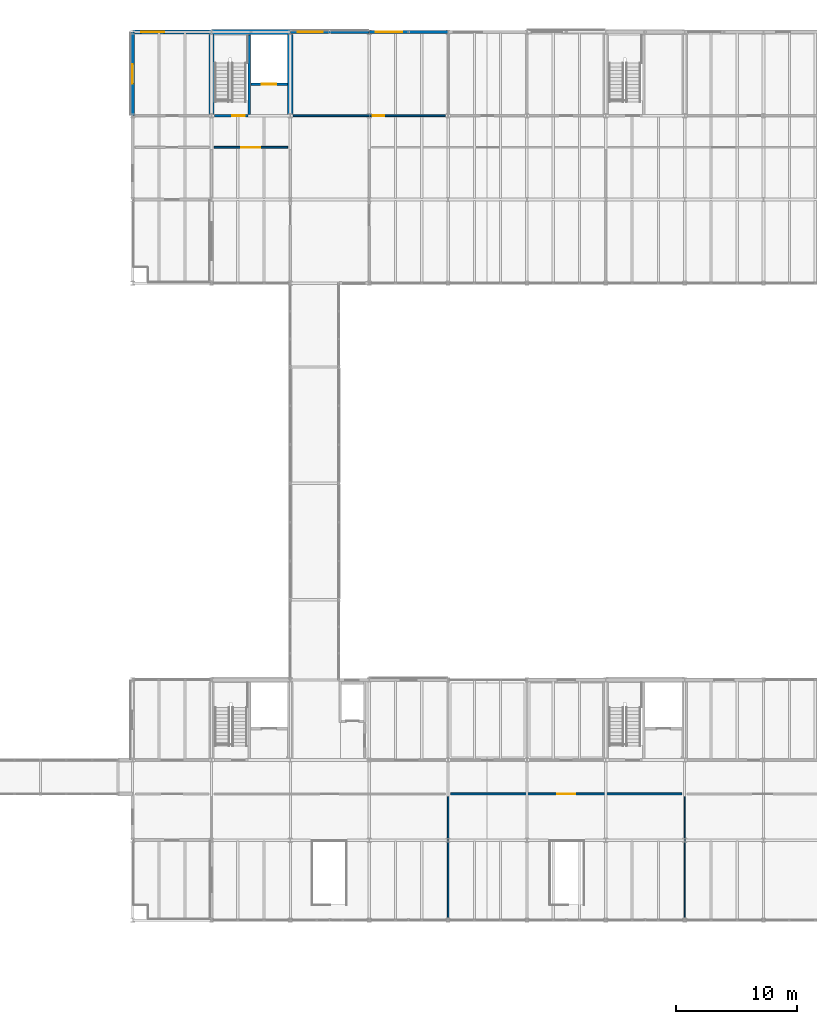
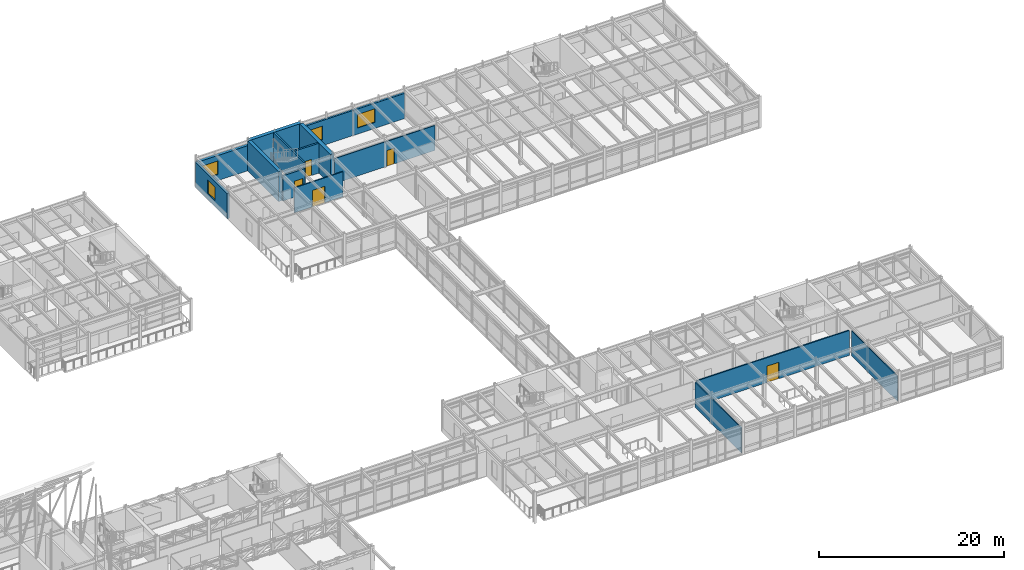
# One storey, part 135 of 144: 15 walls, 5 doors, 4 windows, 9 openings.
"""IFC4 building model written with IfcOpenShell, lengths in metres."""

from ifc_helpers import new_model, si_unit, direction, frame, frame_2d, origin, place, context, subcontext, project, spatial, rectangle, extrude, material, layer, layer_set, type_object, element, fill, save


model = new_model("IFC4")

# Units and contexts
model_context = context("Model", 3, precision=1e-05, world=origin(), true_north=direction((0.0, 1.0)))
body_context = subcontext(model_context, "Body", "Model", "MODEL_VIEW")
ifc_project = project(units=[si_unit("LENGTHUNIT", "METRE"), si_unit("AREAUNIT", "SQUARE_METRE"), si_unit("VOLUMEUNIT", "CUBIC_METRE"), si_unit("PLANEANGLEUNIT", "RADIAN"), si_unit("MASSUNIT", "GRAM", prefix="KILO")], contexts=[model_context])

# Site, building, storey
site_placement = place(None, origin())
site = spatial("IfcSite", under=ifc_project, at=site_placement, CompositionType="ELEMENT")
building_placement = place(site_placement, origin())
building = spatial("IfcBuilding", under=site, at=building_placement, Name="Trelmorton Wharf Fire Station", CompositionType="ELEMENT")
storey_placement = place(building_placement, frame((0.0, 0.0, 5.39990234375)))
storey = spatial("IfcBuildingStorey", under=building, at=storey_placement, Name="L01", CompositionType="ELEMENT", Elevation=5.39990234375)

# Wall, opening, window
ifc_material_1 = material(Name="Precast concrete 45 MPa", Category="concrete")
ifc_layer_1 = layer(ifc_material_1, 0.22998046875)
ifc_layer_set_1 = layer_set([ifc_layer_1], Name="Precast concrete 45 MPa")
wall_type_1 = type_object("IfcWallType", Name="EW_PREC_230", PredefinedType="SOLIDWALL", material=ifc_layer_set_1)
wall_1_placement = place(storey_placement, frame((117.0048828125, 81.0, 0.0), z_axis=(0.0, 0.0, 1.0), x_axis=(1.0, 0.0, 0.0)))
wall_1 = element("IfcWall", 1, at=wall_1_placement, inside=storey, type_object=wall_type_1, Name="EW-V4-L01-0216", PredefinedType="SOLIDWALL", context=body_context, shape_type="SweptSolid", body=[
    extrude(rectangle(XDim=6.490234375, YDim=0.22998046875, at=frame_2d((3.2451171875, 0.0))), origin(), (0.0, 0.0, 1.0), 3.320068359375),
])
opening_1_placement = place(wall_1_placement, frame((0.612548828125, 0.0, 0.800048828125)))
opening_1 = element("IfcOpeningElement", 2, at=opening_1_placement, cuts=wall_1, Name="Opening W11", PredefinedType="OPENING", context=body_context, shape_type="SweptSolid", body=[
    extrude(rectangle(XDim=2.050048828125, YDim=1.800048828125, at=frame_2d((1.02490234375, 0.89990234375))), frame((0.0, 0.125, 0.0), z_axis=(0.0, -1.0, 0.0), x_axis=(1.0, 0.0, 0.0)), (0.0, 0.0, 1.0), 0.25),
])
ifc_material_2 = material(Name="Tempered low-E double glazing", Category="glass")
window_type_1 = type_object("IfcWindowType", Name="WIN_W11", PartitioningType="DOUBLE_PANEL_VERTICAL", PredefinedType="WINDOW", material=ifc_material_2)
window_1_placement = place(opening_1_placement, origin())
window_1 = element("IfcWindow", 3, at=window_1_placement, inside=storey, type_object=window_type_1, Name="WN-V4-L01-0119", OverallHeight=1.800048828125, OverallWidth=2.050048828125, PartitioningType="DOUBLE_PANEL_VERTICAL", PredefinedType="WINDOW", context=body_context, shape_type="SweptSolid", body=[
    extrude(rectangle(XDim=2.050048828125, YDim=1.800048828125, at=frame_2d((1.02490234375, 0.89990234375))), frame((0.0, 0.030029296875, 0.0), z_axis=(0.0, -1.0, 0.0), x_axis=(1.0, 0.0, 0.0)), (0.0, 0.0, 1.0), 0.06005859375),
])
fill(opening_1, window_1)

ifc_layer_2 = layer(ifc_material_1, 0.25)
ifc_layer_set_2 = layer_set([ifc_layer_2], Name="Precast concrete 45 MPa")
wall_type_2 = type_object("IfcWallType", Name="EW_PREC_250", PredefinedType="SOLIDWALL", material=ifc_layer_set_2)
wall_2_placement = place(storey_placement, frame((123.5048828125, 81.0, 0.0), z_axis=(0.0, 0.0, 1.0), x_axis=(1.0, 0.0, 0.0)))
wall_2 = element("IfcWall", 4, at=wall_2_placement, inside=storey, type_object=wall_type_2, Name="EW-V4-L01-0217", PredefinedType="SOLIDWALL", context=body_context, shape_type="SweptSolid", body=[
    extrude(rectangle(XDim=6.490234375, YDim=0.25, at=frame_2d((3.2451171875, 0.0))), origin(), (0.0, 0.0, 1.0), 3.320068359375),
])
opening_2_placement = place(wall_2_placement, frame((0.53759765625, 0.0, 0.800048828125)))
opening_2 = element("IfcOpeningElement", 5, at=opening_2_placement, cuts=wall_2, Name="Opening W12", PredefinedType="OPENING", context=body_context, shape_type="SweptSolid", body=[
    extrude(rectangle(XDim=2.199951171875, YDim=1.800048828125, at=frame_2d((1.10009765625, 0.89990234375))), frame((0.0, 0.135009765625, 0.0), z_axis=(0.0, -1.0, 0.0), x_axis=(1.0, 0.0, 0.0)), (0.0, 0.0, 1.0), 0.27001953125),
])
window_type_2 = type_object("IfcWindowType", Name="WIN_W12", PartitioningType="DOUBLE_PANEL_VERTICAL", PredefinedType="WINDOW", material=ifc_material_2)
window_2_placement = place(opening_2_placement, origin())
window_2 = element("IfcWindow", 6, at=window_2_placement, inside=storey, type_object=window_type_2, Name="WN-V4-L01-0120", OverallHeight=1.800048828125, OverallWidth=2.199951171875, PartitioningType="DOUBLE_PANEL_VERTICAL", PredefinedType="WINDOW", context=body_context, shape_type="SweptSolid", body=[
    extrude(rectangle(XDim=2.199951171875, YDim=1.800048828125, at=frame_2d((1.10009765625, 0.89990234375))), frame((0.0, 0.030029296875, 0.0), z_axis=(0.0, -1.0, 0.0), x_axis=(1.0, 0.0, 0.0)), (0.0, 0.0, 1.0), 0.06005859375),
])
fill(opening_2, window_2)

ifc_layer_3 = layer(ifc_material_1, 0.2900390625)
ifc_layer_set_3 = layer_set([ifc_layer_3], Name="Precast concrete 45 MPa")
wall_type_3 = type_object("IfcWallType", Name="EW_TERR_290", PredefinedType="SOLIDWALL", material=ifc_layer_set_3)
wall_3_placement = place(storey_placement, frame((104.0, 74.10498046875, 0.0), z_axis=(0.0, 0.0, 1.0), x_axis=(0.0, 1.0, 0.0)))
wall_3 = element("IfcWall", 7, at=wall_3_placement, inside=storey, type_object=wall_type_3, Name="EW-V4-L01-0225", PredefinedType="SOLIDWALL", context=body_context, shape_type="SweptSolid", body=[
    extrude(rectangle(XDim=6.89013671875, YDim=0.2900390625, at=frame_2d((3.445068359375, 0.0))), origin(), (0.0, 0.0, 1.0), 3.320068359375),
])
opening_3_placement = place(wall_3_placement, frame((2.64501953125, 0.0, 0.800048828125)))
opening_3 = element("IfcOpeningElement", 8, at=opening_3_placement, cuts=wall_3, Name="Opening W20", PredefinedType="OPENING", context=body_context, shape_type="SweptSolid", body=[
    extrude(rectangle(XDim=1.60009765625, YDim=1.800048828125, at=frame_2d((0.800048828125, 0.89990234375))), frame((0.0, 0.155029296875, 0.0), z_axis=(0.0, -1.0, 0.0), x_axis=(1.0, 0.0, 0.0)), (0.0, 0.0, 1.0), 0.31005859375),
])
window_type_3 = type_object("IfcWindowType", Name="WIN_W20", PartitioningType="DOUBLE_PANEL_VERTICAL", PredefinedType="WINDOW", material=ifc_material_2)
window_3_placement = place(opening_3_placement, origin())
window_3 = element("IfcWindow", 9, at=window_3_placement, inside=storey, type_object=window_type_3, Name="WN-V4-L01-0127", OverallHeight=1.800048828125, OverallWidth=1.60009765625, PartitioningType="DOUBLE_PANEL_VERTICAL", PredefinedType="WINDOW", context=body_context, shape_type="SweptSolid", body=[
    extrude(rectangle(XDim=1.60009765625, YDim=1.800048828125, at=frame_2d((0.800048828125, 0.89990234375))), frame((0.0, 0.030029296875, 0.0), z_axis=(0.0, -1.0, 0.0), x_axis=(1.0, 0.0, 0.0)), (0.0, 0.0, 1.0), 0.06005859375),
])
fill(opening_3, window_3)

ifc_layer_4 = layer(ifc_material_1, 0.330078125)
ifc_layer_set_4 = layer_set([ifc_layer_4], Name="Precast concrete 45 MPa")
wall_type_4 = type_object("IfcWallType", Name="EW_TERR_330", PredefinedType="SOLIDWALL", material=ifc_layer_set_4)
wall_4_placement = place(storey_placement, frame((104.0048828125, 81.0, 0.0), z_axis=(0.0, 0.0, 1.0), x_axis=(1.0, 0.0, 0.0)))
wall_4 = element("IfcWall", 10, at=wall_4_placement, inside=storey, type_object=wall_type_4, Name="EW-V4-L01-0215", PredefinedType="SOLIDWALL", context=body_context, shape_type="SweptSolid", body=[
    extrude(rectangle(XDim=6.490234375, YDim=0.330078125, at=frame_2d((3.2451171875, 0.0))), origin(), (0.0, 0.0, 1.0), 3.320068359375),
])
opening_4_placement = place(wall_4_placement, frame((0.6875, 0.0, 0.800048828125)))
opening_4 = element("IfcOpeningElement", 11, at=opening_4_placement, cuts=wall_4, Name="Opening W10", PredefinedType="OPENING", context=body_context, shape_type="SweptSolid", body=[
    extrude(rectangle(XDim=1.89990234375, YDim=1.800048828125, at=frame_2d((0.949951171875, 0.89990234375))), frame((0.0, 0.175048828125, 0.0), z_axis=(0.0, -1.0, 0.0), x_axis=(1.0, 0.0, 0.0)), (0.0, 0.0, 1.0), 0.35009765625),
])
window_type_4 = type_object("IfcWindowType", Name="WIN_W10", PartitioningType="DOUBLE_PANEL_VERTICAL", PredefinedType="WINDOW", material=ifc_material_2)
window_4_placement = place(opening_4_placement, origin())
window_4 = element("IfcWindow", 12, at=window_4_placement, inside=storey, type_object=window_type_4, Name="WN-V4-L01-0118", OverallHeight=1.800048828125, OverallWidth=1.89990234375, PartitioningType="DOUBLE_PANEL_VERTICAL", PredefinedType="WINDOW", context=body_context, shape_type="SweptSolid", body=[
    extrude(rectangle(XDim=1.89990234375, YDim=1.800048828125, at=frame_2d((0.949951171875, 0.89990234375))), frame((0.0, 0.030029296875, 0.0), z_axis=(0.0, -1.0, 0.0), x_axis=(1.0, 0.0, 0.0)), (0.0, 0.0, 1.0), 0.06005859375),
])
fill(opening_4, window_4)

# Wall, opening, door
ifc_material_3 = material(Name="Gypsum plasterboard partition")
ifc_layer_5 = layer(ifc_material_3, 0.159912109375)
ifc_layer_set_5 = layer_set([ifc_layer_5], Name="Gypsum plasterboard partition")
wall_type_5 = type_object("IfcWallType", Name="IW_ACOU_160", PredefinedType="PARTITIONING", material=ifc_layer_set_5)
wall_5_placement = place(storey_placement, frame((130.219970703125, 18.199951171875, 0.0), z_axis=(0.0, 0.0, 1.0), x_axis=(1.0, 0.0, 0.0)))
wall_5 = element("IfcWall", 13, at=wall_5_placement, inside=storey, type_object=wall_type_5, Name="IW-L01-0085", PredefinedType="PARTITIONING", context=body_context, shape_type="SweptSolid", body=[
    extrude(rectangle(XDim=19.06005859375, YDim=0.159912109375, at=frame_2d((9.530029296875, 0.0))), origin(), (0.0, 0.0, 1.0), 3.300048828125),
])
opening_5_placement = place(wall_5_placement, frame((8.7900390625, 0.0, 0.0)))
opening_5 = element("IfcOpeningElement", 14, at=opening_5_placement, cuts=wall_5, Name="Opening D-056", PredefinedType="OPENING", context=body_context, shape_type="SweptSolid", body=[
    extrude(rectangle(XDim=1.47998046875, YDim=2.179931640625, at=frame_2d((0.739990234375, 1.08984375))), frame((0.0, 0.08984375, 0.0), z_axis=(0.0, -1.0, 0.0), x_axis=(1.0, 0.0, 0.0)), (0.0, 0.0, 1.0), 0.179931640625),
])
ifc_material_4 = material(Name="Acoustic timber panelling", Category="wood")
door_type_1 = type_object("IfcDoorType", Name="DR_INT_148", OperationType="DOUBLE_DOOR_SINGLE_SWING", PredefinedType="DOOR", material=ifc_material_4)
door_1_placement = place(opening_5_placement, origin())
door_1 = element("IfcDoor", 15, at=door_1_placement, inside=storey, type_object=door_type_1, Name="Interior Door D-056", OperationType="DOUBLE_DOOR_SINGLE_SWING", OverallHeight=2.179931640625, OverallWidth=1.47998046875, PredefinedType="DOOR", context=body_context, shape_type="SweptSolid", body=[
    extrude(rectangle(XDim=1.47998046875, YDim=2.179931640625, at=frame_2d((0.739990234375, 1.08984375))), frame((0.0, 0.02490234375, 0.0), z_axis=(0.0, -1.0, 0.0), x_axis=(1.0, 0.0, 0.0)), (0.0, 0.0, 1.0), 0.050048828125),
])
fill(opening_5, door_1)

# Wall
ifc_material_5 = material(Name="Concrete 40 MPa", Category="concrete")
ifc_layer_6 = layer(ifc_material_5, 0.219970703125)
ifc_layer_set_6 = layer_set([ifc_layer_6], Name="Concrete 40 MPa")
wall_type_6 = type_object("IfcWallType", Name="IW_CORE_220", PredefinedType="SOLIDWALL", material=ifc_layer_set_6)
wall_6_placement = place(storey_placement, frame((113.6201171875, 74.219970703125, 0.0), z_axis=(0.0, 0.0, 1.0), x_axis=(0.0, 1.0, 0.0)))
element("IfcWall", 16, at=wall_6_placement, inside=storey, type_object=wall_type_6, Name="IW-C7-DIV-L01", PredefinedType="SOLIDWALL", context=body_context, shape_type="SweptSolid", body=[
    extrude(rectangle(XDim=6.554931640625, YDim=0.219970703125, at=frame_2d((3.27734375, 0.0))), origin(), (0.0, 0.0, 1.0), 3.960205078125),
])

# Wall, opening, door
wall_7_placement = place(storey_placement, frame((110.760009765625, 74.10009765625, 0.0), z_axis=(0.0, 0.0, 1.0), x_axis=(1.0, 0.0, 0.0)))
wall_7 = element("IfcWall", 17, at=wall_7_placement, inside=storey, type_object=wall_type_6, Name="IW-C7-SF-L01", PredefinedType="SOLIDWALL", context=body_context, shape_type="SweptSolid", body=[
    extrude(rectangle(XDim=2.739990234375, YDim=0.219970703125, at=frame_2d((1.3701171875, 0.0))), origin(), (0.0, 0.0, 1.0), 3.320068359375),
])
opening_6_placement = place(wall_7_placement, frame((1.43994140625, 0.0, 0.0)))
opening_6 = element("IfcOpeningElement", 18, at=opening_6_placement, cuts=wall_7, Name="Opening FD-043", PredefinedType="OPENING", context=body_context, shape_type="SweptSolid", body=[
    extrude(rectangle(XDim=1.06005859375, YDim=2.10009765625, at=frame_2d((0.530029296875, 1.050048828125))), frame((0.0, 0.1201171875, 0.0), z_axis=(0.0, -1.0, 0.0), x_axis=(1.0, 0.0, 0.0)), (0.0, 0.0, 1.0), 0.239990234375),
])
ifc_material_6 = material(Name="Stainless steel 316 marine grade", Category="steel")
door_type_2 = type_object("IfcDoorType", Name="DR_FIRE_106", OperationType="NOTDEFINED", PredefinedType="DOOR", material=ifc_material_6)
door_2_placement = place(opening_6_placement, origin())
door_2 = element("IfcDoor", 19, at=door_2_placement, inside=storey, type_object=door_type_2, Name="Stair Fire Door FD-043", OperationType="SINGLE_SWING_LEFT", OverallHeight=2.10009765625, OverallWidth=1.06005859375, PredefinedType="DOOR", context=body_context, shape_type="SweptSolid", body=[
    extrude(rectangle(XDim=1.06005859375, YDim=2.10009765625, at=frame_2d((0.530029296875, 1.050048828125))), frame((0.0, 0.02490234375, 0.0), z_axis=(0.0, -1.0, 0.0), x_axis=(1.0, 0.0, 0.0)), (0.0, 0.0, 1.0), 0.050048828125),
])
fill(opening_6, door_2)

wall_8_placement = place(storey_placement, frame((113.739990234375, 76.699951171875, 0.0), z_axis=(0.0, 0.0, 1.0), x_axis=(1.0, 0.0, 0.0)))
wall_8 = element("IfcWall", 20, at=wall_8_placement, inside=storey, type_object=wall_type_6, Name="IW-C7-LSH-L01", PredefinedType="SOLIDWALL", context=body_context, shape_type="SweptSolid", body=[
    extrude(rectangle(XDim=3.034912109375, YDim=0.219970703125, at=frame_2d((1.517578125, 0.0))), origin(), (0.0, 0.0, 1.0), 3.960205078125),
])
opening_7_placement = place(wall_8_placement, frame((0.91748046875, 0.0, 0.0)))
opening_7 = element("IfcOpeningElement", 21, at=opening_7_placement, cuts=wall_8, Name="Opening LD-034", PredefinedType="OPENING", context=body_context, shape_type="SweptSolid", body=[
    extrude(rectangle(XDim=1.199951171875, YDim=2.14990234375, at=frame_2d((0.60009765625, 1.074951171875))), frame((0.0, 0.1201171875, 0.0), z_axis=(0.0, -1.0, 0.0), x_axis=(1.0, 0.0, 0.0)), (0.0, 0.0, 1.0), 0.239990234375),
])
door_type_3 = type_object("IfcDoorType", Name="DR_LIFT_120", OperationType="DOUBLE_DOOR_SLIDING", PredefinedType="DOOR", material=ifc_material_6)
door_3_placement = place(opening_7_placement, origin())
door_3 = element("IfcDoor", 22, at=door_3_placement, inside=storey, type_object=door_type_3, Name="Lift Landing Door LD-034", OperationType="DOUBLE_DOOR_SLIDING", OverallHeight=2.14990234375, OverallWidth=1.199951171875, PredefinedType="DOOR", context=body_context, shape_type="SweptSolid", body=[
    extrude(rectangle(XDim=1.199951171875, YDim=2.14990234375, at=frame_2d((0.60009765625, 1.074951171875))), frame((0.0, 0.02490234375, 0.0), z_axis=(0.0, -1.0, 0.0), x_axis=(1.0, 0.0, 0.0)), (0.0, 0.0, 1.0), 0.050048828125),
])
fill(opening_7, door_3)

# Walls
ifc_layer_7 = layer(ifc_material_3, 0.10009765625)
ifc_layer_set_7 = layer_set([ifc_layer_7], Name="Gypsum plasterboard partition")
wall_type_7 = type_object("IfcWallType", Name="IW_PART_100", PredefinedType="PARTITIONING", material=ifc_layer_set_7)
wall_9_placement = place(storey_placement, frame((149.5, 8.02001953125, 0.0), z_axis=(0.0, 0.0, 1.0), x_axis=(0.0, 1.0, 0.0)))
element("IfcWall", 23, at=wall_9_placement, inside=storey, type_object=wall_type_7, Name="IW-L01-0084", PredefinedType="PARTITIONING", context=body_context, shape_type="SweptSolid", body=[
    extrude(rectangle(XDim=9.9599609375, YDim=0.10009765625, at=frame_2d((4.97998046875, 0.0))), origin(), (0.0, 0.0, 1.0), 3.300048828125),
])
ifc_layer_8 = layer(ifc_material_3, 0.1298828125)
ifc_layer_set_8 = layer_set([ifc_layer_8], Name="Gypsum plasterboard partition")
wall_type_8 = type_object("IfcWallType", Name="IW_PART_130", PredefinedType="PARTITIONING", material=ifc_layer_set_8)
wall_10_placement = place(storey_placement, frame((130.0, 8.02001953125, 0.0), z_axis=(0.0, 0.0, 1.0), x_axis=(0.0, 1.0, 0.0)))
element("IfcWall", 24, at=wall_10_placement, inside=storey, type_object=wall_type_8, Name="IW-L01-0081", PredefinedType="PARTITIONING", context=body_context, shape_type="SweptSolid", body=[
    extrude(rectangle(XDim=9.9599609375, YDim=0.1298828125, at=frame_2d((4.97998046875, 0.0))), origin(), (0.0, 0.0, 1.0), 3.300048828125),
])

# Wall, opening, door
ifc_layer_9 = layer(ifc_material_3, 0.139892578125)
ifc_layer_set_9 = layer_set([ifc_layer_9], Name="Gypsum plasterboard partition")
wall_type_9 = type_object("IfcWallType", Name="IW_PART_140", PredefinedType="PARTITIONING", material=ifc_layer_set_9)
wall_11_placement = place(storey_placement, frame((110.719970703125, 71.5, 0.0), z_axis=(0.0, 0.0, 1.0), x_axis=(1.0, 0.0, 0.0)))
wall_11 = element("IfcWall", 25, at=wall_11_placement, inside=storey, type_object=wall_type_9, Name="IW-L01-0115", PredefinedType="PARTITIONING", context=body_context, shape_type="SweptSolid", body=[
    extrude(rectangle(XDim=6.06005859375, YDim=0.139892578125, at=frame_2d((3.030029296875, 0.0))), origin(), (0.0, 0.0, 1.0), 3.300048828125),
])
opening_8_placement = place(wall_11_placement, frame((2.25, 0.0, 0.0)))
opening_8 = element("IfcOpeningElement", 26, at=opening_8_placement, cuts=wall_11, Name="Opening D-077", PredefinedType="OPENING", context=body_context, shape_type="SweptSolid", body=[
    extrude(rectangle(XDim=1.56005859375, YDim=2.179931640625, at=frame_2d((0.780029296875, 1.08984375))), frame((0.0, 0.080078125, 0.0), z_axis=(0.0, -1.0, 0.0), x_axis=(1.0, 0.0, 0.0)), (0.0, 0.0, 1.0), 0.159912109375),
])
door_type_4 = type_object("IfcDoorType", Name="DR_INT_156", OperationType="DOUBLE_DOOR_SINGLE_SWING", PredefinedType="DOOR", material=ifc_material_4)
door_4_placement = place(opening_8_placement, origin())
door_4 = element("IfcDoor", 27, at=door_4_placement, inside=storey, type_object=door_type_4, Name="Interior Door D-077", OperationType="DOUBLE_DOOR_SINGLE_SWING", OverallHeight=2.179931640625, OverallWidth=1.56005859375, PredefinedType="DOOR", context=body_context, shape_type="SweptSolid", body=[
    extrude(rectangle(XDim=1.56005859375, YDim=2.179931640625, at=frame_2d((0.780029296875, 1.08984375))), frame((0.0, 0.02490234375, 0.0), z_axis=(0.0, -1.0, 0.0), x_axis=(1.0, 0.0, 0.0)), (0.0, 0.0, 1.0), 0.050048828125),
])
fill(opening_8, door_4)

wall_12_placement = place(storey_placement, frame((117.219970703125, 74.10009765625, 0.0), z_axis=(0.0, 0.0, 1.0), x_axis=(1.0, 0.0, 0.0)))
wall_12 = element("IfcWall", 28, at=wall_12_placement, inside=storey, type_object=wall_type_9, Name="IW-L01-0122", PredefinedType="PARTITIONING", context=body_context, shape_type="SweptSolid", body=[
    extrude(rectangle(XDim=12.56005859375, YDim=0.139892578125, at=frame_2d((6.280029296875, 0.0))), origin(), (0.0, 0.0, 1.0), 3.300048828125),
])
opening_9_placement = place(wall_12_placement, frame((6.56005859375, 0.0, 0.0)))
opening_9 = element("IfcOpeningElement", 29, at=opening_9_placement, cuts=wall_12, Name="Opening D-083", PredefinedType="OPENING", context=body_context, shape_type="SweptSolid", body=[
    extrude(rectangle(XDim=0.93994140625, YDim=2.080078125, at=frame_2d((0.469970703125, 1.0400390625))), frame((0.0, 0.080078125, 0.0), z_axis=(0.0, -1.0, 0.0), x_axis=(1.0, 0.0, 0.0)), (0.0, 0.0, 1.0), 0.159912109375),
])
door_type_5 = type_object("IfcDoorType", Name="DR_INT_094", OperationType="NOTDEFINED", PredefinedType="DOOR", material=ifc_material_4)
door_5_placement = place(opening_9_placement, origin())
door_5 = element("IfcDoor", 30, at=door_5_placement, inside=storey, type_object=door_type_5, Name="Interior Door D-083", OperationType="SINGLE_SWING_RIGHT", OverallHeight=2.080078125, OverallWidth=0.93994140625, PredefinedType="DOOR", context=body_context, shape_type="SweptSolid", body=[
    extrude(rectangle(XDim=0.93994140625, YDim=2.080078125, at=frame_2d((0.469970703125, 1.0400390625))), frame((0.0, 0.02490234375, 0.0), z_axis=(0.0, -1.0, 0.0), x_axis=(1.0, 0.0, 0.0)), (0.0, 0.0, 1.0), 0.050048828125),
])
fill(opening_9, door_5)

# Walls
ifc_material_7 = material(Name="Concrete 50 MPa", Category="concrete")
ifc_layer_10 = layer(ifc_material_7, 0.43994140625)
ifc_layer_set_10 = layer_set([ifc_layer_10], Name="Concrete 50 MPa")
wall_type_10 = type_object("IfcWallType", Name="WL_CORE_440", PredefinedType="SHEAR", material=ifc_layer_set_10)
wall_13_placement = place(storey_placement, frame((110.5, 81.0, 0.0), z_axis=(0.0, 0.0, 1.0), x_axis=(1.0, 0.0, 0.0)))
element("IfcWall", 31, at=wall_13_placement, inside=storey, type_object=wall_type_10, Name="WL-SW-C7-L01-127", PredefinedType="SHEAR", context=body_context, shape_type="SweptSolid", body=[
    extrude(rectangle(XDim=6.5, YDim=0.43994140625, at=frame_2d((3.25, 0.0))), origin(), (0.0, 0.0, 1.0), 3.960205078125),
])
for number, where, z_axis, x_axis, name in (
    (32, (110.5, 74.10009765625, 0.0), (0.0, 0.0, 1.0), (0.0, 1.0, 0.0), "WL-SW-C7-L01-128"),
    (33, (117.0, 74.10009765625, 0.0), (0.0, 0.0, 1.0), (0.0, 1.0, 0.0), "WL-SW-C7-L01-129"),
):
    element("IfcWall", number, at=place(storey_placement, frame(where, z_axis=z_axis, x_axis=x_axis)), inside=storey, type_object=wall_type_10, Name=name, PredefinedType="SHEAR", context=body_context, shape_type="SweptSolid", body=[
        extrude(rectangle(XDim=6.679931640625, YDim=0.43994140625, at=frame_2d((3.33984375, 0.0))), origin(), (0.0, 0.0, 1.0), 3.960205078125),
    ])

save(model, "model.ifc")
